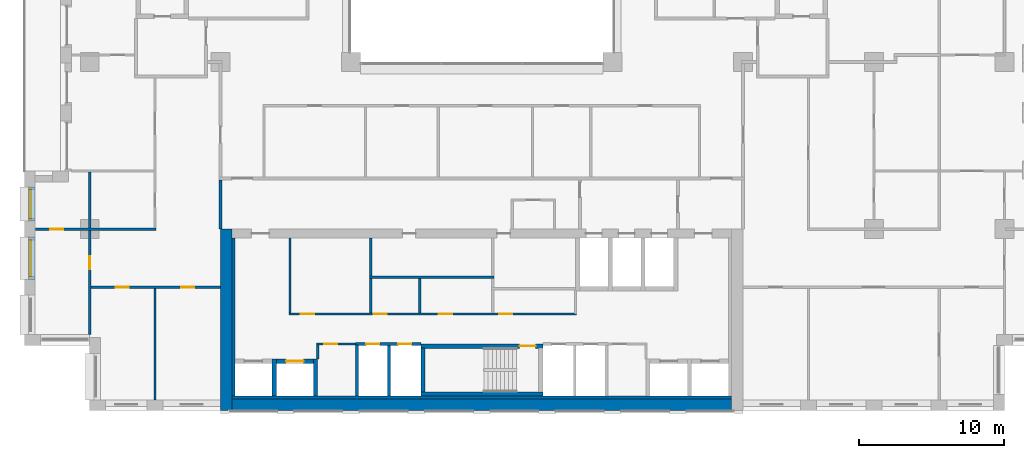
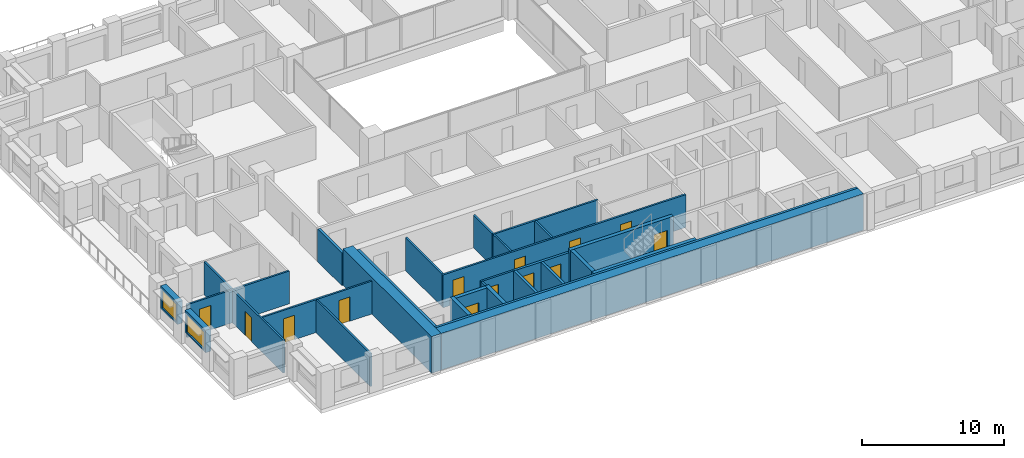
# One storey, part 8 of 16: 29 walls, 13 doors, 2 windows, 15 openings.
"""IFC4 building model written with IfcOpenShell, lengths in metres."""

import ifcopenshell
import ifcopenshell.guid

model = None  # the IFC model being written
_history = None  # IfcOwnerHistory: only IFC2X3 demands one
_inside = {}  # id of a spatial element -> (the spatial element, [elements in it])
_under = {}  # id of a project, library or spatial element -> (it, [spatial elements below it])
_declared = {}  # id of a project -> (the project, [libraries it declares])
_typed = {}  # id of a type object -> (the type object, [elements of that type])
_made_of = {}  # id of a material, layer set ... -> (it, [elements and type objects made of it])


def new_model(schema):
    """Start an empty IFC model of exactly this schema.

    Asked for "IFC4X3", IfcOpenShell would pick the latest addendum, in which some entities
    have other attributes; the version numbers below select the first issue.
    IFC2X3 requires an IfcOwnerHistory on every rooted entity: one is made here for all.
    """
    global model, _history
    if schema == "IFC4X3":
        model = ifcopenshell.file(schema_version=(4, 3, 0, 0))
    else:
        model = ifcopenshell.file(schema=schema)
    _inside.clear()
    _under.clear()
    _declared.clear()
    _typed.clear()
    _made_of.clear()
    _history = None
    if model.schema == "IFC2X3":
        org = make("IfcOrganization", Name="unknown")
        user = make(
            "IfcPersonAndOrganization",
            ThePerson=make("IfcPerson", FamilyName="unknown"),
            TheOrganization=org,
        )
        app = make(
            "IfcApplication",
            ApplicationDeveloper=org,
            Version="unknown",
            ApplicationFullName="unknown",
            ApplicationIdentifier="unknown",
        )
        _history = make(
            "IfcOwnerHistory",
            OwningUser=user,
            OwningApplication=app,
            ChangeAction="ADDED",
            CreationDate=0,
        )
    return model


def make(cls, **values):
    """One entity of the class cls with the attributes given. An attribute that is None is left unset."""
    return model.create_entity(
        cls, **{name: value for name, value in values.items() if value is not None}
    )


def rooted(cls, **values):
    """An entity with a GlobalId (a new one), such as an element, a storey or a relation."""
    return make(cls, GlobalId=ifcopenshell.guid.new(), OwnerHistory=_history, **values)


def si_unit(unit_type, name, prefix=None):
    """IfcSIUnit, for example si_unit("LENGTHUNIT", "METRE", prefix="MILLI")."""
    return make("IfcSIUnit", UnitType=unit_type, Prefix=prefix, Name=name)


def assignment(units):
    """IfcUnitAssignment: the units of a project."""
    return None if units is None else make("IfcUnitAssignment", Units=units)


def point(xyz):
    """IfcCartesianPoint."""
    return None if xyz is None else make("IfcCartesianPoint", Coordinates=xyz)


def direction(xyz):
    """IfcDirection."""
    return None if xyz is None else make("IfcDirection", DirectionRatios=xyz)


def frame(location, z_axis=None, x_axis=None):
    """IfcAxis2Placement3D, a coordinate frame: its origin and axes. An axis left out is left unset."""
    return make(
        "IfcAxis2Placement3D",
        Location=point(location),
        Axis=direction(z_axis),
        RefDirection=direction(x_axis),
    )


def frame_2d(location, x_axis=None):
    """IfcAxis2Placement2D, a coordinate frame in the plane: its origin and x axis."""
    return make(
        "IfcAxis2Placement2D", Location=point(location), RefDirection=direction(x_axis)
    )


def origin():
    """The frame at (0, 0, 0) with its axes left unset."""
    return frame((0.0, 0.0, 0.0))


def place(relative_to, where):
    """IfcLocalPlacement: puts the frame where relative to a parent placement (None: the world)."""
    return make(
        "IfcLocalPlacement", PlacementRelTo=relative_to, RelativePlacement=where
    )


def context(
    kind, dimensions, precision=None, world=None, true_north=None, identifier=None
):
    """IfcGeometricRepresentationContext, for example the 3D "Model" context."""
    return make(
        "IfcGeometricRepresentationContext",
        ContextIdentifier=identifier,
        ContextType=kind,
        CoordinateSpaceDimension=dimensions,
        Precision=precision,
        WorldCoordinateSystem=world,
        TrueNorth=true_north,
    )


def subcontext(parent, identifier, kind, view, scale=None):
    """IfcGeometricRepresentationSubContext, for example "Body" below "Model"."""
    return make(
        "IfcGeometricRepresentationSubContext",
        ContextIdentifier=identifier,
        ContextType=kind,
        ParentContext=parent,
        TargetScale=scale,
        TargetView=view,
    )


def project(units=None, contexts=None):
    """IfcProject with its units and contexts."""
    return rooted(
        "IfcProject",
        Name="project",
        RepresentationContexts=contexts,
        UnitsInContext=assignment(units),
    )


def spatial(cls, under=None, at=None, **own):
    """A site, building, storey or space (cls), placed at a placement, below another one or the project."""
    s = rooted(cls, ObjectPlacement=at, **own)
    if under is not None:
        _under.setdefault(under.id(), (under, []))[1].append(s)
    return s


def profile(cls, at=None, kind="AREA", **sizes):
    """A parametric profile (cls). Its sizes go by their IFC names, for example OverallWidth=200.0."""
    return make(cls, ProfileType=kind, Position=at, **sizes)


def rectangle(**sizes):
    """IfcRectangleProfileDef."""
    return profile("IfcRectangleProfileDef", **sizes)


def extrude(swept, where, along, depth):
    """IfcExtrudedAreaSolid: the profile swept, set in the frame where, extruded along a direction by depth."""
    return make(
        "IfcExtrudedAreaSolid",
        SweptArea=swept,
        Position=where,
        ExtrudedDirection=direction(along),
        Depth=depth,
    )


def shape(context_of_items, identifier, shape_type, items):
    """IfcShapeRepresentation: the items that make up one representation, for example the "Body"."""
    return make(
        "IfcShapeRepresentation",
        ContextOfItems=context_of_items,
        RepresentationIdentifier=identifier,
        RepresentationType=shape_type,
        Items=items,
    )


def material(Name=None, Category=None):
    """IfcMaterial."""
    return make("IfcMaterial", Name=Name, Category=Category)


def layer(
    of_material, thickness, ventilated=None, Name=None, Category=None, Priority=None
):
    """IfcMaterialLayer: one layer of a wall or slab, of a material (None: an air gap)."""
    return make(
        "IfcMaterialLayer",
        Material=of_material,
        LayerThickness=thickness,
        IsVentilated=ventilated,
        Name=Name,
        Category=Category,
        Priority=Priority,
    )


def layer_set(layers, Name=None):
    """IfcMaterialLayerSet."""
    return make("IfcMaterialLayerSet", MaterialLayers=layers, LayerSetName=Name)


def made_of(thing, what):
    """Note that an element or type object is made of a material, layer set ...; save() writes the relation."""
    if what is not None:
        _made_of.setdefault(what.id(), (what, []))[1].append(thing)
    return thing


def type_object(cls, material=None, **own):
    """A type object (cls), such as IfcWallType, which elements share."""
    return made_of(rooted(cls, **own), material)


def element(
    cls,
    number,
    at=None,
    inside=None,
    cuts=None,
    type_object=None,
    material=None,
    context=None,
    identifier="Body",
    shape_type=None,
    held_by="IfcProductDefinitionShape",
    body=None,
    shapes=None,
    **own,
):
    """One element of the class cls, such as IfcWall. Its Tag is "e" and its number.

    at: its placement. inside: the storey or other place that contains it. cuts: it is an
    opening in that element (IfcRelVoidsElement). A single representation is given by context,
    identifier, shape_type and body (its items); several are given by shapes. held_by: the class
    of the entity that holds the representations. save() writes the other relations.
    """
    e = rooted(cls, Tag="e%d" % number, ObjectPlacement=at, **own)
    if body is not None:
        shapes = [shape(context, identifier, shape_type, body)]
    if shapes is not None:
        e.Representation = make(held_by, Representations=shapes)
    if inside is not None:
        _inside.setdefault(inside.id(), (inside, []))[1].append(e)
    if cuts is not None:
        rooted(
            "IfcRelVoidsElement", RelatingBuildingElement=cuts, RelatedOpeningElement=e
        )
    if type_object is not None:
        _typed.setdefault(type_object.id(), (type_object, []))[1].append(e)
    return made_of(e, material)


def fill(opening, filler):
    """IfcRelFillsElement: the door or window that sits in an opening."""
    return rooted(
        "IfcRelFillsElement",
        RelatingOpeningElement=opening,
        RelatedBuildingElement=filler,
    )


def aggregate(whole, parts):
    """IfcRelAggregates: a whole, such as a stair, and the parts it consists of."""
    return rooted("IfcRelAggregates", RelatingObject=whole, RelatedObjects=parts)


def save(model, path):
    """Write the relations noted so far, then the file.

    IfcRelAggregates (storeys below a building ...), IfcRelContainedInSpatialStructure (elements
    in a storey), IfcRelDefinesByType, IfcRelAssociatesMaterial and IfcRelDeclares: one each for
    every whole, place, type object, material and project.
    """
    for whole, parts in _under.values():
        aggregate(whole, parts)
    for where, things in _inside.values():
        rooted(
            "IfcRelContainedInSpatialStructure",
            RelatedElements=things,
            RelatingStructure=where,
        )
    for kind, things in _typed.values():
        rooted("IfcRelDefinesByType", RelatedObjects=things, RelatingType=kind)
    for what, things in _made_of.values():
        rooted("IfcRelAssociatesMaterial", RelatedObjects=things, RelatingMaterial=what)
    for by, libraries in _declared.values():
        rooted("IfcRelDeclares", RelatingContext=by, RelatedDefinitions=libraries)
    model.write(path)


model = new_model("IFC4")

# Units and contexts
model_context = context("Model", 3, precision=1e-05, world=origin(), true_north=direction((0.0, 1.0)))
body_context = subcontext(model_context, "Body", "Model", "MODEL_VIEW")
ifc_project = project(units=[si_unit("LENGTHUNIT", "METRE"), si_unit("AREAUNIT", "SQUARE_METRE"), si_unit("VOLUMEUNIT", "CUBIC_METRE"), si_unit("PLANEANGLEUNIT", "RADIAN"), si_unit("MASSUNIT", "GRAM", prefix="KILO")], contexts=[model_context])

# Site, building, storey
site_placement = place(None, origin())
site = spatial("IfcSite", under=ifc_project, at=site_placement, CompositionType="ELEMENT")
building_placement = place(site_placement, origin())
building = spatial("IfcBuilding", under=site, at=building_placement, Name="Brigalow Station Residences", CompositionType="ELEMENT")
storey_placement = place(building_placement, frame((0.0, 0.0, 118.199951171875)))
storey = spatial("IfcBuildingStorey", under=building, at=storey_placement, Name="L34", CompositionType="ELEMENT", Elevation=118.199951171875)

# Wall, opening, window
ifc_material_1 = material(Name="Clay brick masonry", Category="masonry")
ifc_layer_1 = layer(ifc_material_1, 0.449951171875)
ifc_layer_set_1 = layer_set([ifc_layer_1], Name="BRICK INFILL WALL 450")
wall_type_1 = type_object("IfcWallType", Name="BRICK INFILL WALL 450", PredefinedType="SOLIDWALL", material=ifc_layer_set_1)
wall_1_placement = place(storey_placement, frame((5.02490234375, 15.39990234375, 0.900146484375), z_axis=(0.0, 0.0, 1.0), x_axis=(0.0, -1.0, 0.0)))
wall_1 = element("IfcWall", 1, at=wall_1_placement, inside=storey, type_object=wall_type_1, Name="L34/ewall/W-L34-47", PredefinedType="SOLIDWALL", context=body_context, shape_type="SweptSolid", body=[
    extrude(rectangle(XDim=2.349853515625, YDim=0.449951171875, at=frame_2d((1.1748046875, 0.0))), origin(), (0.0, 0.0, 1.0), 1.929931640625),
])
opening_1_placement = place(wall_1_placement, frame((0.175048828125, 0.0, 0.14990234375)))
opening_1 = element("IfcOpeningElement", 2, at=opening_1_placement, cuts=wall_1, Name="Opening WT-7", PredefinedType="OPENING", context=body_context, shape_type="SweptSolid", body=[
    extrude(rectangle(XDim=2.0, YDim=1.5, at=frame_2d((1.0, 0.75))), frame((0.0, 0.23486328125, 0.0), z_axis=(0.0, -1.0, 0.0), x_axis=(1.0, 0.0, 0.0)), (0.0, 0.0, 1.0), 0.469970703125),
])
ifc_material_2 = material(Name="Anodised aluminium frame with double glazing", Category="aluminium")
window_type_1 = type_object("IfcWindowType", Name="WINDOW 2000x1500", PartitioningType="SINGLE_PANEL", PredefinedType="WINDOW", material=ifc_material_2)
window_1_placement = place(opening_1_placement, origin())
window_1 = element("IfcWindow", 3, at=window_1_placement, inside=storey, type_object=window_type_1, Name="L34/window/W-L34-47", OverallHeight=1.5, OverallWidth=2.0, PartitioningType="SINGLE_PANEL", PredefinedType="WINDOW", context=body_context, shape_type="SweptSolid", body=[
    extrude(rectangle(XDim=2.0, YDim=1.5, at=frame_2d((1.0, 0.75))), frame((0.0, -0.06494140625, 0.0), z_axis=(0.0, -1.0, 0.0), x_axis=(1.0, 0.0, 0.0)), (0.0, 0.0, 1.0), 0.06005859375),
])
fill(opening_1, window_1)

wall_2_placement = place(storey_placement, frame((5.02490234375, 11.949951171875, 0.900146484375), z_axis=(0.0, 0.0, 1.0), x_axis=(0.0, -1.0, 0.0)))
wall_2 = element("IfcWall", 4, at=wall_2_placement, inside=storey, type_object=wall_type_1, Name="L34/ewall/W-L34-48", PredefinedType="SOLIDWALL", context=body_context, shape_type="SweptSolid", body=[
    extrude(rectangle(XDim=2.89990234375, YDim=0.449951171875, at=frame_2d((1.449951171875, 0.0))), origin(), (0.0, 0.0, 1.0), 1.929931640625),
])
opening_2_placement = place(wall_2_placement, frame((0.199951171875, 0.0, 0.14990234375)))
opening_2 = element("IfcOpeningElement", 5, at=opening_2_placement, cuts=wall_2, Name="Opening WT-5", PredefinedType="OPENING", context=body_context, shape_type="SweptSolid", body=[
    extrude(rectangle(XDim=2.5, YDim=1.5, at=frame_2d((1.25, 0.75))), frame((0.0, 0.23486328125, 0.0), z_axis=(0.0, -1.0, 0.0), x_axis=(1.0, 0.0, 0.0)), (0.0, 0.0, 1.0), 0.469970703125),
])
ifc_material_3 = material(Name="Anodised aluminium frame with double glazing", Category="aluminium")
window_type_2 = type_object("IfcWindowType", Name="WINDOW 2500x1500", PartitioningType="SINGLE_PANEL", PredefinedType="WINDOW", material=ifc_material_3)
window_2_placement = place(opening_2_placement, origin())
window_2 = element("IfcWindow", 6, at=window_2_placement, inside=storey, type_object=window_type_2, Name="L34/window/W-L34-48", OverallHeight=1.5, OverallWidth=2.5, PartitioningType="SINGLE_PANEL", PredefinedType="WINDOW", context=body_context, shape_type="SweptSolid", body=[
    extrude(rectangle(XDim=2.5, YDim=1.5, at=frame_2d((1.25, 0.75))), frame((0.0, -0.06494140625, 0.0), z_axis=(0.0, -1.0, 0.0), x_axis=(1.0, 0.0, 0.0)), (0.0, 0.0, 1.0), 0.06005859375),
])
fill(opening_2, window_2)

# Walls
ifc_material_4 = material(Name="Concrete C65", Category="concrete")
ifc_layer_2 = layer(ifc_material_4, 0.199951171875)
ifc_layer_set_2 = layer_set([ifc_layer_2], Name="CORE SHEAR WALL 200 C65")
wall_type_2 = type_object("IfcWallType", Name="CORE SHEAR WALL 200 C65", PredefinedType="SHEAR", material=ifc_layer_set_2)
wall_3_placement = place(storey_placement, frame((18.89990234375, 1.0, 0.0), z_axis=(0.0, 0.0, 1.0), x_axis=(0.0, 1.0, 0.0)))
element("IfcWall", 7, at=wall_3_placement, inside=storey, type_object=wall_type_2, Name="CORE WALL LIN-W L34", PredefinedType="SHEAR", context=body_context, shape_type="SweptSolid", body=[
    extrude(rectangle(XDim=10.89990234375, YDim=0.199951171875, at=frame_2d((5.449951171875, 0.0))), origin(), (0.0, 0.0, 1.0), 3.150146484375),
])
wall_4_placement = place(storey_placement, frame((18.800048828125, 0.89990234375, 0.0), z_axis=(0.0, 0.0, 1.0), x_axis=(1.0, 0.0, 0.0)))
element("IfcWall", 8, at=wall_4_placement, inside=storey, type_object=wall_type_2, Name="CORE WALL LIN-S L34", PredefinedType="SHEAR", context=body_context, shape_type="SweptSolid", body=[
    extrude(rectangle(XDim=34.39990234375, YDim=0.199951171875, at=frame_2d((17.199951171875, 0.0))), origin(), (0.0, 0.0, 1.0), 3.150146484375),
])

# Wall, opening, door
ifc_material_5 = material(Name="Concrete C65", Category="concrete")
ifc_layer_3 = layer(ifc_material_5, 0.300048828125)
ifc_layer_set_3 = layer_set([ifc_layer_3], Name="CORE SHEAR WALL 300 C65")
wall_type_3 = type_object("IfcWallType", Name="CORE SHEAR WALL 300 C65", PredefinedType="SHEAR", material=ifc_layer_set_3)
wall_5_placement = place(storey_placement, frame((21.85009765625, 3.39990234375, 0.0), z_axis=(0.0, 0.0, 1.0), x_axis=(1.0, 0.0, 0.0)))
wall_5 = element("IfcWall", 9, at=wall_5_placement, inside=storey, type_object=wall_type_3, Name="CORE WALL SH-C2-N L34", PredefinedType="SHEAR", context=body_context, shape_type="SweptSolid", body=[
    extrude(rectangle(XDim=2.5498046875, YDim=0.300048828125, at=frame_2d((1.27490234375, 0.0))), origin(), (0.0, 0.0, 1.0), 3.150146484375),
])
opening_3_placement = place(wall_5_placement, frame((0.675048828125, 0.0, 0.0)))
opening_3 = element("IfcOpeningElement", 10, at=opening_3_placement, cuts=wall_5, Name="Opening LD-LB2", PredefinedType="OPENING", context=body_context, shape_type="SweptSolid", body=[
    extrude(rectangle(XDim=1.199951171875, YDim=2.10009765625, at=frame_2d((0.60009765625, 1.050048828125))), frame((0.0, 0.16015625, 0.0), z_axis=(0.0, -1.0, 0.0), x_axis=(1.0, 0.0, 0.0)), (0.0, 0.0, 1.0), 0.320068359375),
])
ifc_material_6 = material(Name="Stainless steel sliding door leaves", Category="steel")
door_type_1 = type_object("IfcDoorType", Name="LIFT LANDING DOOR 1200 x 2100", OperationType="DOUBLE_DOOR_SLIDING", PredefinedType="DOOR", material=ifc_material_6)
door_1_placement = place(opening_3_placement, origin())
door_1 = element("IfcDoor", 11, at=door_1_placement, inside=storey, type_object=door_type_1, Name="LANDING DOOR LB2", OperationType="DOUBLE_DOOR_SLIDING", OverallHeight=2.10009765625, OverallWidth=1.199951171875, PredefinedType="DOOR", context=body_context, shape_type="SweptSolid", body=[
    extrude(rectangle(XDim=1.199951171875, YDim=2.10009765625, at=frame_2d((0.60009765625, 1.050048828125))), frame((0.0, 0.02490234375, 0.0), z_axis=(0.0, -1.0, 0.0), x_axis=(1.0, 0.0, 0.0)), (0.0, 0.0, 1.0), 0.050048828125),
])
fill(opening_3, door_1)

# Walls
for number, where, z_axis, x_axis, name in (
    (12, (21.699951171875, 1.0, 0.0), (0.0, 0.0, 1.0), (0.0, 1.0, 0.0), "CORE WALL SH-C2-W L34"),
    (13, (24.550048828125, 1.0, 0.0), (0.0, 0.0, 1.0), (0.0, 1.0, 0.0), "CORE WALL SH-C2-E L34"),
):
    element("IfcWall", number, at=place(storey_placement, frame(where, z_axis=z_axis, x_axis=x_axis)), inside=storey, type_object=wall_type_3, Name=name, PredefinedType="SHEAR", context=body_context, shape_type="SweptSolid", body=[
        extrude(rectangle(XDim=2.550048828125, YDim=0.300048828125, at=frame_2d((1.27490234375, 0.0))), origin(), (0.0, 0.0, 1.0), 3.150146484375),
    ])
wall_6_placement = place(storey_placement, frame((31.800048828125, 1.14990234375, 0.0), z_axis=(0.0, 0.0, 1.0), x_axis=(1.0, 0.0, 0.0)))
element("IfcWall", 14, at=wall_6_placement, inside=storey, type_object=wall_type_3, Name="CORE WALL ST-S2-S L34", PredefinedType="SHEAR", context=body_context, shape_type="SweptSolid", body=[
    extrude(rectangle(XDim=8.39990234375, YDim=0.300048828125, at=frame_2d((4.199951171875, 0.0))), origin(), (0.0, 0.0, 1.0), 3.150146484375),
])

# Wall, opening, door
wall_7_placement = place(storey_placement, frame((31.800048828125, 4.449951171875, 0.0), z_axis=(0.0, 0.0, 1.0), x_axis=(1.0, 0.0, 0.0)))
wall_7 = element("IfcWall", 15, at=wall_7_placement, inside=storey, type_object=wall_type_3, Name="CORE WALL ST-S2-N L34", PredefinedType="SHEAR", context=body_context, shape_type="SweptSolid", body=[
    extrude(rectangle(XDim=8.39990234375, YDim=0.300048828125, at=frame_2d((4.199951171875, 0.0))), origin(), (0.0, 0.0, 1.0), 3.150146484375),
])
opening_4_placement = place(wall_7_placement, frame((6.800048828125, 0.0, 0.0)))
opening_4 = element("IfcOpeningElement", 16, at=opening_4_placement, cuts=wall_7, Name="Opening D-5001", PredefinedType="OPENING", context=body_context, shape_type="SweptSolid", body=[
    extrude(rectangle(XDim=1.10009765625, YDim=2.10009765625, at=frame_2d((0.550048828125, 1.050048828125))), frame((0.0, 0.16015625, 0.0), z_axis=(0.0, -1.0, 0.0), x_axis=(1.0, 0.0, 0.0)), (0.0, 0.0, 1.0), 0.320068359375),
])
ifc_material_7 = material(Name="Steel fire door leaf in steel frame", Category="steel")
door_type_2 = type_object("IfcDoorType", Name="STAIR DOOR 1100 x 2100 FD60S", OperationType="SINGLE_SWING_LEFT", PredefinedType="DOOR", material=ifc_material_7)
door_2_placement = place(opening_4_placement, frame((1.10009765625, 0.0, 0.0), z_axis=(0.0, 0.0, 1.0), x_axis=(-1.0, 0.0, 0.0)))
door_2 = element("IfcDoor", 17, at=door_2_placement, inside=storey, type_object=door_type_2, Name="D-5001", OperationType="SINGLE_SWING_LEFT", OverallHeight=2.10009765625, OverallWidth=1.10009765625, PredefinedType="DOOR", context=body_context, shape_type="SweptSolid", body=[
    extrude(rectangle(XDim=1.10009765625, YDim=2.10009765625, at=frame_2d((0.550048828125, 1.050048828125))), frame((0.0, 0.02490234375, 0.0), z_axis=(0.0, -1.0, 0.0), x_axis=(1.0, 0.0, 0.0)), (0.0, 0.0, 1.0), 0.050048828125),
])
fill(opening_4, door_2)

# Walls
wall_8_placement = place(storey_placement, frame((31.949951171875, 1.300048828125, 0.0), z_axis=(0.0, 0.0, 1.0), x_axis=(0.0, 1.0, 0.0)))
element("IfcWall", 18, at=wall_8_placement, inside=storey, type_object=wall_type_3, Name="CORE WALL ST-S2-W L34", PredefinedType="SHEAR", context=body_context, shape_type="SweptSolid", body=[
    extrude(rectangle(XDim=3.0, YDim=0.300048828125, at=frame_2d((1.5, 0.0))), origin(), (0.0, 0.0, 1.0), 3.150146484375),
])
ifc_material_8 = material(Name="Concrete C65", Category="concrete")
ifc_layer_4 = layer(ifc_material_8, 0.800048828125)
ifc_layer_set_4 = layer_set([ifc_layer_4], Name="CORE SHEAR WALL 800 C65")
wall_type_4 = type_object("IfcWallType", Name="CORE SHEAR WALL 800 C65", PredefinedType="SHEAR", material=ifc_layer_set_4)
wall_9_placement = place(storey_placement, frame((18.39990234375, 0.0, 0.0), z_axis=(0.0, 0.0, 1.0), x_axis=(0.0, 1.0, 0.0)))
element("IfcWall", 19, at=wall_9_placement, inside=storey, type_object=wall_type_4, Name="CORE WALL OUT-W L34", PredefinedType="SHEAR", context=body_context, shape_type="SweptSolid", body=[
    extrude(rectangle(XDim=12.5, YDim=0.800048828125, at=frame_2d((6.25, 0.0))), origin(), (0.0, 0.0, 1.0), 3.150146484375),
])
wall_10_placement = place(storey_placement, frame((18.800048828125, 0.39990234375, 0.0), z_axis=(0.0, 0.0, 1.0), x_axis=(1.0, 0.0, 0.0)))
element("IfcWall", 20, at=wall_10_placement, inside=storey, type_object=wall_type_4, Name="CORE WALL OUT-S L34", PredefinedType="SHEAR", context=body_context, shape_type="SweptSolid", body=[
    extrude(rectangle(XDim=34.39990234375, YDim=0.800048828125, at=frame_2d((17.199951171875, 0.0))), origin(), (0.0, 0.0, 1.0), 3.150146484375),
])

# Wall, openings, doors
ifc_material_9 = material(Name="Concrete blockwork", Category="masonry")
ifc_layer_5 = layer(ifc_material_9, 0.199951171875)
ifc_layer_set_5 = layer_set([ifc_layer_5], Name="FIRE RATED CORE PARTITION 200")
wall_type_5 = type_object("IfcWallType", Name="FIRE RATED CORE PARTITION 200", PredefinedType="PARTITIONING", material=ifc_layer_set_5)
wall_11_placement = place(storey_placement, frame((27.300048828125, 4.60009765625, 0.0), z_axis=(0.0, 0.0, 1.0), x_axis=(1.0, 0.0, 0.0)))
wall_11 = element("IfcWall", 21, at=wall_11_placement, inside=storey, type_object=wall_type_5, Name="PW-5017", PredefinedType="PARTITIONING", context=body_context, shape_type="SweptSolid", body=[
    extrude(rectangle(XDim=4.5, YDim=0.199951171875, at=frame_2d((2.25, 0.0))), origin(), (0.0, 0.0, 1.0), 2.830078125),
])
opening_5_placement = place(wall_11_placement, frame((0.75, 0.0, 0.0)))
opening_5 = element("IfcOpeningElement", 22, at=opening_5_placement, cuts=wall_11, Name="Opening D-5007", PredefinedType="OPENING", context=body_context, shape_type="SweptSolid", body=[
    extrude(rectangle(XDim=0.89990234375, YDim=2.10009765625, at=frame_2d((0.449951171875, 1.050048828125))), frame((0.0, 0.10986328125, 0.0), z_axis=(0.0, -1.0, 0.0), x_axis=(1.0, 0.0, 0.0)), (0.0, 0.0, 1.0), 0.219970703125),
])
opening_6_placement = place(wall_11_placement, frame((2.949951171875, 0.0, 0.0)))
opening_6 = element("IfcOpeningElement", 23, at=opening_6_placement, cuts=wall_11, Name="Opening D-5008", PredefinedType="OPENING", context=body_context, shape_type="SweptSolid", body=[
    extrude(rectangle(XDim=0.89990234375, YDim=2.10009765625, at=frame_2d((0.449951171875, 1.050048828125))), frame((0.0, 0.10986328125, 0.0), z_axis=(0.0, -1.0, 0.0), x_axis=(1.0, 0.0, 0.0)), (0.0, 0.0, 1.0), 0.219970703125),
])
ifc_material_10 = material(Name="Steel fire door leaf in steel frame", Category="steel")
door_type_3 = type_object("IfcDoorType", Name="RISER ACCESS DOOR 900 x 2100 FD120", OperationType="SINGLE_SWING_LEFT", PredefinedType="DOOR", material=ifc_material_10)
door_3_placement = place(opening_5_placement, frame((0.89990234375, 0.0, 0.0), z_axis=(0.0, 0.0, 1.0), x_axis=(-1.0, 0.0, 0.0)))
door_3 = element("IfcDoor", 24, at=door_3_placement, inside=storey, type_object=door_type_3, Name="D-5007", OperationType="SINGLE_SWING_RIGHT", OverallHeight=2.10009765625, OverallWidth=0.89990234375, PredefinedType="DOOR", context=body_context, shape_type="SweptSolid", body=[
    extrude(rectangle(XDim=0.89990234375, YDim=2.10009765625, at=frame_2d((0.449951171875, 1.050048828125))), frame((0.0, 0.02490234375, 0.0), z_axis=(0.0, -1.0, 0.0), x_axis=(1.0, 0.0, 0.0)), (0.0, 0.0, 1.0), 0.050048828125),
])
fill(opening_5, door_3)
door_4_placement = place(opening_6_placement, frame((0.89990234375, 0.0, 0.0), z_axis=(0.0, 0.0, 1.0), x_axis=(-1.0, 0.0, 0.0)))
door_4 = element("IfcDoor", 25, at=door_4_placement, inside=storey, type_object=door_type_3, Name="D-5008", OperationType="SINGLE_SWING_RIGHT", OverallHeight=2.10009765625, OverallWidth=0.89990234375, PredefinedType="DOOR", context=body_context, shape_type="SweptSolid", body=[
    extrude(rectangle(XDim=0.89990234375, YDim=2.10009765625, at=frame_2d((0.449951171875, 1.050048828125))), frame((0.0, 0.02490234375, 0.0), z_axis=(0.0, -1.0, 0.0), x_axis=(1.0, 0.0, 0.0)), (0.0, 0.0, 1.0), 0.050048828125),
])
fill(opening_6, door_4)

# Walls
wall_12_placement = place(storey_placement, frame((27.39990234375, 1.0, 0.0), z_axis=(0.0, 0.0, 1.0), x_axis=(0.0, 1.0, 0.0)))
element("IfcWall", 26, at=wall_12_placement, inside=storey, type_object=wall_type_5, Name="PW-5027", PredefinedType="PARTITIONING", context=body_context, shape_type="SweptSolid", body=[
    extrude(rectangle(XDim=3.52490234375, YDim=0.199951171875, at=frame_2d((1.762451171875, 0.0))), origin(), (0.0, 0.0, 1.0), 2.830078125),
])
wall_13_placement = place(storey_placement, frame((29.60009765625, 1.0, 0.0), z_axis=(0.0, 0.0, 1.0), x_axis=(0.0, 1.0, 0.0)))
element("IfcWall", 27, at=wall_13_placement, inside=storey, type_object=wall_type_5, Name="PW-5006", PredefinedType="PARTITIONING", context=body_context, shape_type="SweptSolid", body=[
    extrude(rectangle(XDim=3.5, YDim=0.199951171875, at=frame_2d((1.75, 0.0))), origin(), (0.0, 0.0, 1.0), 2.830078125),
])
wall_14_placement = place(storey_placement, frame((18.0, 12.5, 0.0), z_axis=(0.0, 0.0, 1.0), x_axis=(0.0, 1.0, 0.0)))
element("IfcWall", 28, at=wall_14_placement, inside=storey, type_object=wall_type_5, Name="PW-5013", PredefinedType="PARTITIONING", context=body_context, shape_type="SweptSolid", body=[
    extrude(rectangle(XDim=3.39990234375, YDim=0.199951171875, at=frame_2d((1.699951171875, 0.0))), origin(), (0.0, 0.0, 1.0), 2.830078125),
])

# Wall, opening, door
ifc_material_11 = material(Name="Plasterboard on steel stud partition", Category="steel")
ifc_layer_6 = layer(ifc_material_11, 0.14990234375)
ifc_layer_set_6 = layer_set([ifc_layer_6], Name="FLAT PARTITION 150")
wall_type_6 = type_object("IfcWallType", Name="FLAT PARTITION 150", PredefinedType="PARTITIONING", material=ifc_layer_set_6)
wall_15_placement = place(storey_placement, frame((5.25, 12.5, 0.0), z_axis=(0.0, 0.0, 1.0), x_axis=(1.0, 0.0, 0.0)))
wall_15 = element("IfcWall", 29, at=wall_15_placement, inside=storey, type_object=wall_type_6, Name="PW-2E11", PredefinedType="PARTITIONING", context=body_context, shape_type="SweptSolid", body=[
    extrude(rectangle(XDim=8.324951171875, YDim=0.14990234375, at=frame_2d((4.16259765625, 0.0))), origin(), (0.0, 0.0, 1.0), 2.830078125),
])
opening_7_placement = place(wall_15_placement, frame((1.02490234375, 0.0, 0.0)))
opening_7 = element("IfcOpeningElement", 30, at=opening_7_placement, cuts=wall_15, Name="Opening D-2E05", PredefinedType="OPENING", context=body_context, shape_type="SweptSolid", body=[
    extrude(rectangle(XDim=0.89990234375, YDim=2.10009765625, at=frame_2d((0.449951171875, 1.050048828125))), frame((0.0, 0.0849609375, 0.0), z_axis=(0.0, -1.0, 0.0), x_axis=(1.0, 0.0, 0.0)), (0.0, 0.0, 1.0), 0.169921875),
])
ifc_material_12 = material(Name="Solid-core timber door leaf", Category="wood")
door_type_4 = type_object("IfcDoorType", Name="INTERNAL DOOR 900 x 2100", OperationType="SINGLE_SWING_LEFT", PredefinedType="DOOR", material=ifc_material_12)
door_5_placement = place(opening_7_placement, origin())
door_5 = element("IfcDoor", 31, at=door_5_placement, inside=storey, type_object=door_type_4, Name="D-2E05", OperationType="SINGLE_SWING_LEFT", OverallHeight=2.10009765625, OverallWidth=0.89990234375, PredefinedType="DOOR", context=body_context, shape_type="SweptSolid", body=[
    extrude(rectangle(XDim=0.89990234375, YDim=2.10009765625, at=frame_2d((0.449951171875, 1.050048828125))), frame((0.0, 0.02490234375, 0.0), z_axis=(0.0, -1.0, 0.0), x_axis=(1.0, 0.0, 0.0)), (0.0, 0.0, 1.0), 0.050048828125),
])
fill(opening_7, door_5)

# Wall, openings, doors
wall_16_placement = place(storey_placement, frame((9.074951171875, 8.5, 0.0), z_axis=(0.0, 0.0, 1.0), x_axis=(1.0, 0.0, 0.0)))
wall_16 = element("IfcWall", 32, at=wall_16_placement, inside=storey, type_object=wall_type_6, Name="PW-2E16", PredefinedType="PARTITIONING", context=body_context, shape_type="SweptSolid", body=[
    extrude(rectangle(XDim=8.925048828125, YDim=0.14990234375, at=frame_2d((4.46240234375, 0.0))), origin(), (0.0, 0.0, 1.0), 2.830078125),
])
opening_8_placement = place(wall_16_placement, frame((1.72509765625, 0.0, 0.0)))
opening_8 = element("IfcOpeningElement", 33, at=opening_8_placement, cuts=wall_16, Name="Opening D-2E06", PredefinedType="OPENING", context=body_context, shape_type="SweptSolid", body=[
    extrude(rectangle(XDim=0.89990234375, YDim=2.10009765625, at=frame_2d((0.449951171875, 1.050048828125))), frame((0.0, 0.0849609375, 0.0), z_axis=(0.0, -1.0, 0.0), x_axis=(1.0, 0.0, 0.0)), (0.0, 0.0, 1.0), 0.169921875),
])
opening_9_placement = place(wall_16_placement, frame((6.22509765625, 0.0, 0.0)))
opening_9 = element("IfcOpeningElement", 34, at=opening_9_placement, cuts=wall_16, Name="Opening D-2E07", PredefinedType="OPENING", context=body_context, shape_type="SweptSolid", body=[
    extrude(rectangle(XDim=0.89990234375, YDim=2.10009765625, at=frame_2d((0.449951171875, 1.050048828125))), frame((0.0, 0.0849609375, 0.0), z_axis=(0.0, -1.0, 0.0), x_axis=(1.0, 0.0, 0.0)), (0.0, 0.0, 1.0), 0.169921875),
])
door_6_placement = place(opening_8_placement, frame((0.89990234375, 0.0, 0.0), z_axis=(0.0, 0.0, 1.0), x_axis=(-1.0, 0.0, 0.0)))
door_6 = element("IfcDoor", 35, at=door_6_placement, inside=storey, type_object=door_type_4, Name="D-2E06", OperationType="SINGLE_SWING_LEFT", OverallHeight=2.10009765625, OverallWidth=0.89990234375, PredefinedType="DOOR", context=body_context, shape_type="SweptSolid", body=[
    extrude(rectangle(XDim=0.89990234375, YDim=2.10009765625, at=frame_2d((0.449951171875, 1.050048828125))), frame((0.0, 0.02490234375, 0.0), z_axis=(0.0, -1.0, 0.0), x_axis=(1.0, 0.0, 0.0)), (0.0, 0.0, 1.0), 0.050048828125),
])
fill(opening_8, door_6)
door_7_placement = place(opening_9_placement, frame((0.89990234375, 0.0, 0.0), z_axis=(0.0, 0.0, 1.0), x_axis=(-1.0, 0.0, 0.0)))
door_7 = element("IfcDoor", 36, at=door_7_placement, inside=storey, type_object=door_type_4, Name="D-2E07", OperationType="SINGLE_SWING_RIGHT", OverallHeight=2.10009765625, OverallWidth=0.89990234375, PredefinedType="DOOR", context=body_context, shape_type="SweptSolid", body=[
    extrude(rectangle(XDim=0.89990234375, YDim=2.10009765625, at=frame_2d((0.449951171875, 1.050048828125))), frame((0.0, 0.02490234375, 0.0), z_axis=(0.0, -1.0, 0.0), x_axis=(1.0, 0.0, 0.0)), (0.0, 0.0, 1.0), 0.050048828125),
])
fill(opening_9, door_7)

# Wall, opening, door
wall_17_placement = place(storey_placement, frame((9.0, 5.25, 0.0), z_axis=(0.0, 0.0, 1.0), x_axis=(0.0, 1.0, 0.0)))
wall_17 = element("IfcWall", 37, at=wall_17_placement, inside=storey, type_object=wall_type_6, Name="PW-2E42", PredefinedType="PARTITIONING", context=body_context, shape_type="SweptSolid", body=[
    extrude(rectangle(XDim=7.175048828125, YDim=0.14990234375, at=frame_2d((3.58740234375, 0.0))), origin(), (0.0, 0.0, 1.0), 2.830078125),
])
opening_10_placement = place(wall_17_placement, frame((4.47509765625, 0.0, 0.0)))
opening_10 = element("IfcOpeningElement", 38, at=opening_10_placement, cuts=wall_17, Name="Opening D-2E04", PredefinedType="OPENING", context=body_context, shape_type="SweptSolid", body=[
    extrude(rectangle(XDim=0.89990234375, YDim=2.10009765625, at=frame_2d((0.449951171875, 1.050048828125))), frame((0.0, 0.0849609375, 0.0), z_axis=(0.0, -1.0, 0.0), x_axis=(1.0, 0.0, 0.0)), (0.0, 0.0, 1.0), 0.169921875),
])
door_8_placement = place(opening_10_placement, origin())
door_8 = element("IfcDoor", 39, at=door_8_placement, inside=storey, type_object=door_type_4, Name="D-2E04", OperationType="SINGLE_SWING_RIGHT", OverallHeight=2.10009765625, OverallWidth=0.89990234375, PredefinedType="DOOR", context=body_context, shape_type="SweptSolid", body=[
    extrude(rectangle(XDim=0.89990234375, YDim=2.10009765625, at=frame_2d((0.449951171875, 1.050048828125))), frame((0.0, 0.02490234375, 0.0), z_axis=(0.0, -1.0, 0.0), x_axis=(1.0, 0.0, 0.0)), (0.0, 0.0, 1.0), 0.050048828125),
])
fill(opening_10, door_8)

# Walls
wall_18_placement = place(storey_placement, frame((9.0, 12.574951171875, 0.0), z_axis=(0.0, 0.0, 1.0), x_axis=(0.0, 1.0, 0.0)))
element("IfcWall", 40, at=wall_18_placement, inside=storey, type_object=wall_type_6, Name="PW-2E43", PredefinedType="PARTITIONING", context=body_context, shape_type="SweptSolid", body=[
    extrude(rectangle(XDim=3.85009765625, YDim=0.14990234375, at=frame_2d((1.925048828125, 0.0))), origin(), (0.0, 0.0, 1.0), 2.830078125),
])
wall_19_placement = place(storey_placement, frame((13.5, 0.75, 0.0), z_axis=(0.0, 0.0, 1.0), x_axis=(0.0, 1.0, 0.0)))
element("IfcWall", 41, at=wall_19_placement, inside=storey, type_object=wall_type_6, Name="PW-2E44", PredefinedType="PARTITIONING", context=body_context, shape_type="SweptSolid", body=[
    extrude(rectangle(XDim=7.675048828125, YDim=0.14990234375, at=frame_2d((3.83740234375, 0.0))), origin(), (0.0, 0.0, 1.0), 2.830078125),
])

# Wall, opening, door
ifc_material_13 = material(Name="Plasterboard on steel studs", Category="steel")
ifc_layer_7 = layer(ifc_material_13, 0.14990234375)
ifc_layer_set_7 = layer_set([ifc_layer_7], Name="SERVICE ROOM PARTITION 150")
wall_type_7 = type_object("IfcWallType", Name="SERVICE ROOM PARTITION 150", PredefinedType="PARTITIONING", material=ifc_layer_set_7)
wall_20_placement = place(storey_placement, frame((24.625, 4.60009765625, 0.0), z_axis=(0.0, 0.0, 1.0), x_axis=(1.0, 0.0, 0.0)))
wall_20 = element("IfcWall", 42, at=wall_20_placement, inside=storey, type_object=wall_type_7, Name="PW-5155", PredefinedType="PARTITIONING", context=body_context, shape_type="SweptSolid", body=[
    extrude(rectangle(XDim=2.675048828125, YDim=0.14990234375, at=frame_2d((1.33740234375, 0.0))), origin(), (0.0, 0.0, 1.0), 2.830078125),
])
opening_11_placement = place(wall_20_placement, frame((0.52490234375, 0.0, 0.0)))
opening_11 = element("IfcOpeningElement", 43, at=opening_11_placement, cuts=wall_20, Name="Opening D-5087", PredefinedType="OPENING", context=body_context, shape_type="SweptSolid", body=[
    extrude(rectangle(XDim=0.89990234375, YDim=2.10009765625, at=frame_2d((0.449951171875, 1.050048828125))), frame((0.0, 0.0849609375, 0.0), z_axis=(0.0, -1.0, 0.0), x_axis=(1.0, 0.0, 0.0)), (0.0, 0.0, 1.0), 0.169921875),
])
ifc_material_14 = material(Name="Steel door leaf in steel frame", Category="steel")
door_type_5 = type_object("IfcDoorType", Name="SERVICE ROOM DOOR 900 x 2100 FD60", OperationType="SINGLE_SWING_LEFT", PredefinedType="DOOR", material=ifc_material_14)
door_9_placement = place(opening_11_placement, frame((0.89990234375, 0.0, 0.0), z_axis=(0.0, 0.0, 1.0), x_axis=(-1.0, 0.0, 0.0)))
door_9 = element("IfcDoor", 44, at=door_9_placement, inside=storey, type_object=door_type_5, Name="D-5087", OperationType="SINGLE_SWING_RIGHT", OverallHeight=2.10009765625, OverallWidth=0.89990234375, PredefinedType="DOOR", context=body_context, shape_type="SweptSolid", body=[
    extrude(rectangle(XDim=0.89990234375, YDim=2.10009765625, at=frame_2d((0.449951171875, 1.050048828125))), frame((0.0, 0.02490234375, 0.0), z_axis=(0.0, -1.0, 0.0), x_axis=(1.0, 0.0, 0.0)), (0.0, 0.0, 1.0), 0.050048828125),
])
fill(opening_11, door_9)

# Wall, openings, doors
wall_21_placement = place(storey_placement, frame((22.72509765625, 6.64990234375, 0.0), z_axis=(0.0, 0.0, 1.0), x_axis=(1.0, 0.0, 0.0)))
wall_21 = element("IfcWall", 45, at=wall_21_placement, inside=storey, type_object=wall_type_7, Name="PW-5195", PredefinedType="PARTITIONING", context=body_context, shape_type="SweptSolid", body=[
    extrude(rectangle(XDim=19.7998046875, YDim=0.14990234375, at=frame_2d((9.89990234375, 0.0))), origin(), (0.0, 0.0, 1.0), 2.830078125),
])
opening_12_placement = place(wall_21_placement, frame((0.824951171875, 0.0, 0.0)))
opening_12 = element("IfcOpeningElement", 46, at=opening_12_placement, cuts=wall_21, Name="Opening D-5110", PredefinedType="OPENING", context=body_context, shape_type="SweptSolid", body=[
    extrude(rectangle(XDim=0.89990234375, YDim=2.10009765625, at=frame_2d((0.449951171875, 1.050048828125))), frame((0.0, 0.0849609375, 0.0), z_axis=(0.0, -1.0, 0.0), x_axis=(1.0, 0.0, 0.0)), (0.0, 0.0, 1.0), 0.169921875),
])
opening_13_placement = place(wall_21_placement, frame((5.824951171875, 0.0, 0.0)))
opening_13 = element("IfcOpeningElement", 47, at=opening_13_placement, cuts=wall_21, Name="Opening D-5111", PredefinedType="OPENING", context=body_context, shape_type="SweptSolid", body=[
    extrude(rectangle(XDim=0.89990234375, YDim=2.10009765625, at=frame_2d((0.449951171875, 1.050048828125))), frame((0.0, 0.0849609375, 0.0), z_axis=(0.0, -1.0, 0.0), x_axis=(1.0, 0.0, 0.0)), (0.0, 0.0, 1.0), 0.169921875),
])
opening_14_placement = place(wall_21_placement, frame((10.324951171875, 0.0, 0.0)))
opening_14 = element("IfcOpeningElement", 48, at=opening_14_placement, cuts=wall_21, Name="Opening D-5112", PredefinedType="OPENING", context=body_context, shape_type="SweptSolid", body=[
    extrude(rectangle(XDim=0.89990234375, YDim=2.10009765625, at=frame_2d((0.449951171875, 1.050048828125))), frame((0.0, 0.0849609375, 0.0), z_axis=(0.0, -1.0, 0.0), x_axis=(1.0, 0.0, 0.0)), (0.0, 0.0, 1.0), 0.169921875),
])
opening_15_placement = place(wall_21_placement, frame((14.47509765625, 0.0, 0.0)))
opening_15 = element("IfcOpeningElement", 49, at=opening_15_placement, cuts=wall_21, Name="Opening D-5114", PredefinedType="OPENING", context=body_context, shape_type="SweptSolid", body=[
    extrude(rectangle(XDim=0.89990234375, YDim=2.10009765625, at=frame_2d((0.449951171875, 1.050048828125))), frame((0.0, 0.0849609375, 0.0), z_axis=(0.0, -1.0, 0.0), x_axis=(1.0, 0.0, 0.0)), (0.0, 0.0, 1.0), 0.169921875),
])
door_10_placement = place(opening_12_placement, origin())
door_10 = element("IfcDoor", 50, at=door_10_placement, inside=storey, type_object=door_type_5, Name="D-5110", OperationType="SINGLE_SWING_LEFT", OverallHeight=2.10009765625, OverallWidth=0.89990234375, PredefinedType="DOOR", context=body_context, shape_type="SweptSolid", body=[
    extrude(rectangle(XDim=0.89990234375, YDim=2.10009765625, at=frame_2d((0.449951171875, 1.050048828125))), frame((0.0, 0.02490234375, 0.0), z_axis=(0.0, -1.0, 0.0), x_axis=(1.0, 0.0, 0.0)), (0.0, 0.0, 1.0), 0.050048828125),
])
fill(opening_12, door_10)
door_11_placement = place(opening_13_placement, origin())
door_11 = element("IfcDoor", 51, at=door_11_placement, inside=storey, type_object=door_type_5, Name="D-5111", OperationType="SINGLE_SWING_LEFT", OverallHeight=2.10009765625, OverallWidth=0.89990234375, PredefinedType="DOOR", context=body_context, shape_type="SweptSolid", body=[
    extrude(rectangle(XDim=0.89990234375, YDim=2.10009765625, at=frame_2d((0.449951171875, 1.050048828125))), frame((0.0, 0.02490234375, 0.0), z_axis=(0.0, -1.0, 0.0), x_axis=(1.0, 0.0, 0.0)), (0.0, 0.0, 1.0), 0.050048828125),
])
fill(opening_13, door_11)
door_12_placement = place(opening_14_placement, origin())
door_12 = element("IfcDoor", 52, at=door_12_placement, inside=storey, type_object=door_type_5, Name="D-5112", OperationType="SINGLE_SWING_LEFT", OverallHeight=2.10009765625, OverallWidth=0.89990234375, PredefinedType="DOOR", context=body_context, shape_type="SweptSolid", body=[
    extrude(rectangle(XDim=0.89990234375, YDim=2.10009765625, at=frame_2d((0.449951171875, 1.050048828125))), frame((0.0, 0.02490234375, 0.0), z_axis=(0.0, -1.0, 0.0), x_axis=(1.0, 0.0, 0.0)), (0.0, 0.0, 1.0), 0.050048828125),
])
fill(opening_14, door_12)
door_13_placement = place(opening_15_placement, origin())
door_13 = element("IfcDoor", 53, at=door_13_placement, inside=storey, type_object=door_type_5, Name="D-5114", OperationType="SINGLE_SWING_LEFT", OverallHeight=2.10009765625, OverallWidth=0.89990234375, PredefinedType="DOOR", context=body_context, shape_type="SweptSolid", body=[
    extrude(rectangle(XDim=0.89990234375, YDim=2.10009765625, at=frame_2d((0.449951171875, 1.050048828125))), frame((0.0, 0.02490234375, 0.0), z_axis=(0.0, -1.0, 0.0), x_axis=(1.0, 0.0, 0.0)), (0.0, 0.0, 1.0), 0.050048828125),
])
fill(opening_15, door_13)

# Walls
wall_22_placement = place(storey_placement, frame((28.27490234375, 9.18994140625, 0.0), z_axis=(0.0, 0.0, 1.0), x_axis=(1.0, 0.0, 0.0)))
element("IfcWall", 54, at=wall_22_placement, inside=storey, type_object=wall_type_7, Name="PW-5230", PredefinedType="PARTITIONING", context=body_context, shape_type="SweptSolid", body=[
    extrude(rectangle(XDim=8.550048828125, YDim=0.14990234375, at=frame_2d((4.27490234375, 0.0))), origin(), (0.0, 0.0, 1.0), 2.830078125),
])
wall_23_placement = place(storey_placement, frame((24.699951171875, 3.550048828125, 0.0), z_axis=(0.0, 0.0, 1.0), x_axis=(0.0, 1.0, 0.0)))
element("IfcWall", 55, at=wall_23_placement, inside=storey, type_object=wall_type_7, Name="PW-5157", PredefinedType="PARTITIONING", context=body_context, shape_type="SweptSolid", body=[
    extrude(rectangle(XDim=0.974853515625, YDim=0.14990234375, at=frame_2d((0.4873046875, 0.0))), origin(), (0.0, 0.0, 1.0), 2.830078125),
])
wall_24_placement = place(storey_placement, frame((22.800048828125, 6.72509765625, 0.0), z_axis=(0.0, 0.0, 1.0), x_axis=(0.0, 1.0, 0.0)))
element("IfcWall", 56, at=wall_24_placement, inside=storey, type_object=wall_type_7, Name="PW-5197", PredefinedType="PARTITIONING", context=body_context, shape_type="SweptSolid", body=[
    extrude(rectangle(XDim=5.1748046875, YDim=0.14990234375, at=frame_2d((2.58740234375, 0.0))), origin(), (0.0, 0.0, 1.0), 2.830078125),
])
for number, where, z_axis, x_axis, name in (
    (57, (28.35009765625, 6.72509765625, 0.0), (0.0, 0.0, 1.0), (0.0, 1.0, 0.0), "PW-5231"),
    (58, (31.72998046875, 6.72509765625, 0.0), (0.0, 0.0, 1.0), (0.0, 1.0, 0.0), "PW-5232"),
):
    element("IfcWall", number, at=place(storey_placement, frame(where, z_axis=z_axis, x_axis=x_axis)), inside=storey, type_object=wall_type_7, Name=name, PredefinedType="PARTITIONING", context=body_context, shape_type="SweptSolid", body=[
        extrude(rectangle(XDim=2.389892578125, YDim=0.14990234375, at=frame_2d((1.19482421875, 0.0))), origin(), (0.0, 0.0, 1.0), 2.830078125),
    ])
wall_25_placement = place(storey_placement, frame((28.35009765625, 9.264892578125, 0.0), z_axis=(0.0, 0.0, 1.0), x_axis=(0.0, 1.0, 0.0)))
element("IfcWall", 59, at=wall_25_placement, inside=storey, type_object=wall_type_7, Name="PW-5234", PredefinedType="PARTITIONING", context=body_context, shape_type="SweptSolid", body=[
    extrude(rectangle(XDim=2.635009765625, YDim=0.14990234375, at=frame_2d((1.3173828125, 0.0))), origin(), (0.0, 0.0, 1.0), 2.830078125),
])

save(model, "model.ifc")
